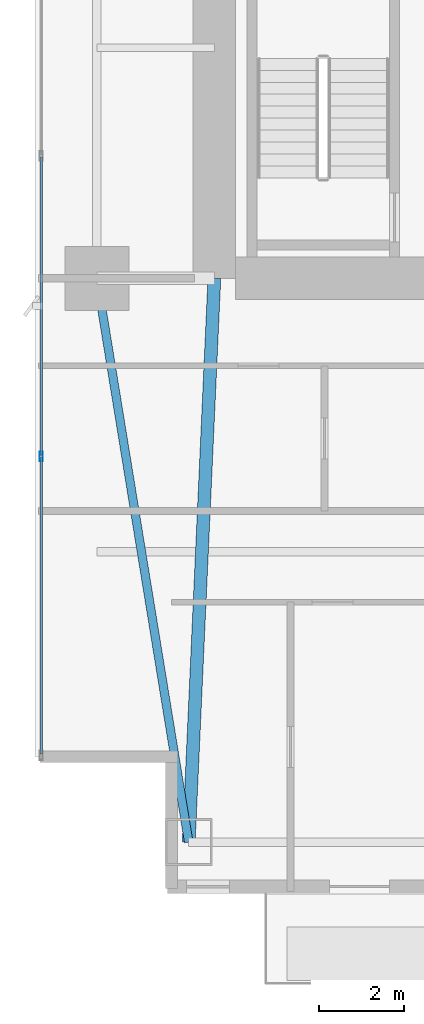
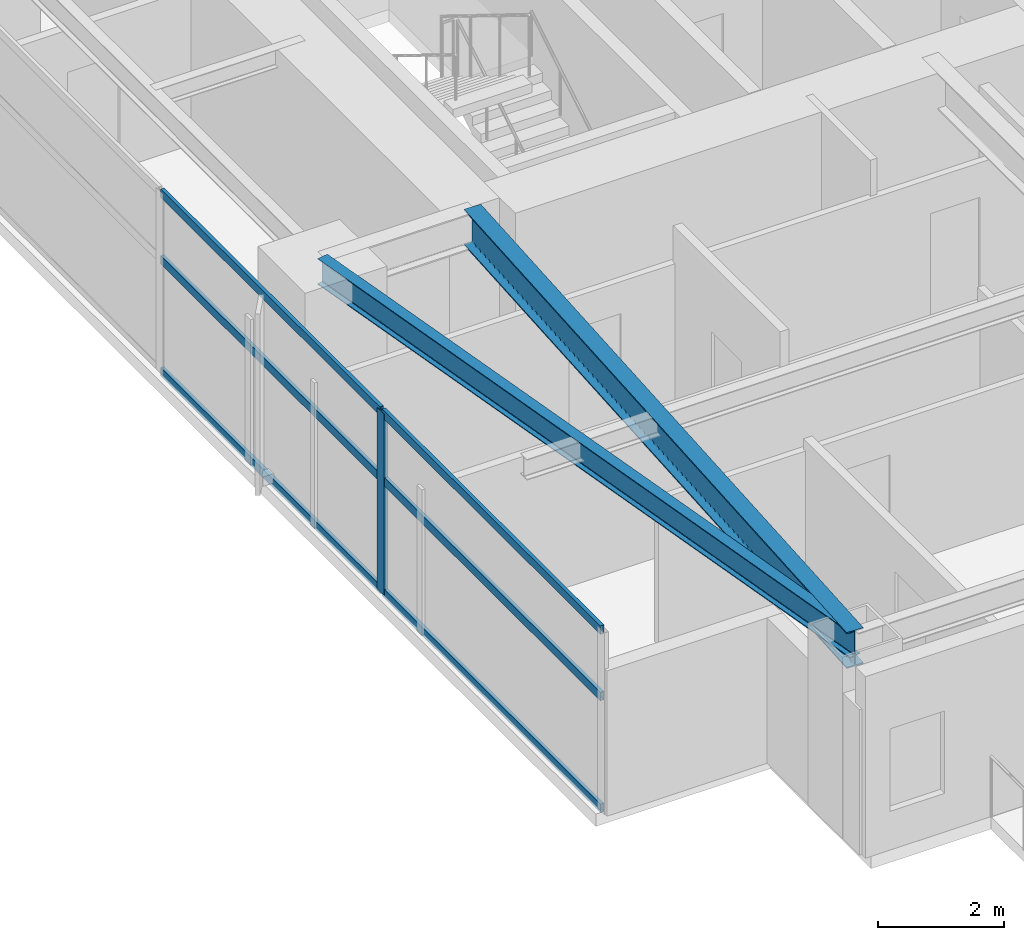
# One storey, part 3 of 28: 7 members, 2 beams, 1 element without a shape of its own.
"""IFC4 building model written with IfcOpenShell, lengths in metres."""

import ifcopenshell
import ifcopenshell.guid

model = None  # the IFC model being written
_history = None  # IfcOwnerHistory: only IFC2X3 demands one
_inside = {}  # id of a spatial element -> (the spatial element, [elements in it])
_under = {}  # id of a project, library or spatial element -> (it, [spatial elements below it])
_declared = {}  # id of a project -> (the project, [libraries it declares])
_typed = {}  # id of a type object -> (the type object, [elements of that type])
_made_of = {}  # id of a material, layer set ... -> (it, [elements and type objects made of it])


def new_model(schema):
    """Start an empty IFC model of exactly this schema.

    Asked for "IFC4X3", IfcOpenShell would pick the latest addendum, in which some entities
    have other attributes; the version numbers below select the first issue.
    IFC2X3 requires an IfcOwnerHistory on every rooted entity: one is made here for all.
    """
    global model, _history
    if schema == "IFC4X3":
        model = ifcopenshell.file(schema_version=(4, 3, 0, 0))
    else:
        model = ifcopenshell.file(schema=schema)
    _inside.clear()
    _under.clear()
    _declared.clear()
    _typed.clear()
    _made_of.clear()
    _history = None
    if model.schema == "IFC2X3":
        org = make("IfcOrganization", Name="unknown")
        user = make(
            "IfcPersonAndOrganization",
            ThePerson=make("IfcPerson", FamilyName="unknown"),
            TheOrganization=org,
        )
        app = make(
            "IfcApplication",
            ApplicationDeveloper=org,
            Version="unknown",
            ApplicationFullName="unknown",
            ApplicationIdentifier="unknown",
        )
        _history = make(
            "IfcOwnerHistory",
            OwningUser=user,
            OwningApplication=app,
            ChangeAction="ADDED",
            CreationDate=0,
        )
    return model


def make(cls, **values):
    """One entity of the class cls with the attributes given. An attribute that is None is left unset."""
    return model.create_entity(
        cls, **{name: value for name, value in values.items() if value is not None}
    )


def rooted(cls, **values):
    """An entity with a GlobalId (a new one), such as an element, a storey or a relation."""
    return make(cls, GlobalId=ifcopenshell.guid.new(), OwnerHistory=_history, **values)


def si_unit(unit_type, name, prefix=None):
    """IfcSIUnit, for example si_unit("LENGTHUNIT", "METRE", prefix="MILLI")."""
    return make("IfcSIUnit", UnitType=unit_type, Prefix=prefix, Name=name)


def assignment(units):
    """IfcUnitAssignment: the units of a project."""
    return None if units is None else make("IfcUnitAssignment", Units=units)


def point(xyz):
    """IfcCartesianPoint."""
    return None if xyz is None else make("IfcCartesianPoint", Coordinates=xyz)


def direction(xyz):
    """IfcDirection."""
    return None if xyz is None else make("IfcDirection", DirectionRatios=xyz)


def frame(location, z_axis=None, x_axis=None):
    """IfcAxis2Placement3D, a coordinate frame: its origin and axes. An axis left out is left unset."""
    return make(
        "IfcAxis2Placement3D",
        Location=point(location),
        Axis=direction(z_axis),
        RefDirection=direction(x_axis),
    )


def frame_2d(location, x_axis=None):
    """IfcAxis2Placement2D, a coordinate frame in the plane: its origin and x axis."""
    return make(
        "IfcAxis2Placement2D", Location=point(location), RefDirection=direction(x_axis)
    )


def origin():
    """The frame at (0, 0, 0) with its axes left unset."""
    return frame((0.0, 0.0, 0.0))


def origin_2d():
    """The frame at (0, 0) in the plane with its x axis left unset."""
    return frame_2d((0.0, 0.0))


def place(relative_to, where):
    """IfcLocalPlacement: puts the frame where relative to a parent placement (None: the world)."""
    return make(
        "IfcLocalPlacement", PlacementRelTo=relative_to, RelativePlacement=where
    )


def context(
    kind, dimensions, precision=None, world=None, true_north=None, identifier=None
):
    """IfcGeometricRepresentationContext, for example the 3D "Model" context."""
    return make(
        "IfcGeometricRepresentationContext",
        ContextIdentifier=identifier,
        ContextType=kind,
        CoordinateSpaceDimension=dimensions,
        Precision=precision,
        WorldCoordinateSystem=world,
        TrueNorth=true_north,
    )


def subcontext(parent, identifier, kind, view, scale=None):
    """IfcGeometricRepresentationSubContext, for example "Body" below "Model"."""
    return make(
        "IfcGeometricRepresentationSubContext",
        ContextIdentifier=identifier,
        ContextType=kind,
        ParentContext=parent,
        TargetScale=scale,
        TargetView=view,
    )


def project(units=None, contexts=None):
    """IfcProject with its units and contexts."""
    return rooted(
        "IfcProject",
        Name="project",
        RepresentationContexts=contexts,
        UnitsInContext=assignment(units),
    )


def spatial(cls, under=None, at=None, **own):
    """A site, building, storey or space (cls), placed at a placement, below another one or the project."""
    s = rooted(cls, ObjectPlacement=at, **own)
    if under is not None:
        _under.setdefault(under.id(), (under, []))[1].append(s)
    return s


def profile(cls, at=None, kind="AREA", **sizes):
    """A parametric profile (cls). Its sizes go by their IFC names, for example OverallWidth=200.0."""
    return make(cls, ProfileType=kind, Position=at, **sizes)


def hollow_rectangle(**sizes):
    """IfcRectangleHollowProfileDef."""
    return profile("IfcRectangleHollowProfileDef", **sizes)


def i_section(**sizes):
    """IfcIShapeProfileDef."""
    return profile("IfcIShapeProfileDef", **sizes)


def extrude(swept, where, along, depth):
    """IfcExtrudedAreaSolid: the profile swept, set in the frame where, extruded along a direction by depth."""
    return make(
        "IfcExtrudedAreaSolid",
        SweptArea=swept,
        Position=where,
        ExtrudedDirection=direction(along),
        Depth=depth,
    )


def shape(context_of_items, identifier, shape_type, items):
    """IfcShapeRepresentation: the items that make up one representation, for example the "Body"."""
    return make(
        "IfcShapeRepresentation",
        ContextOfItems=context_of_items,
        RepresentationIdentifier=identifier,
        RepresentationType=shape_type,
        Items=items,
    )


def material(Name=None, Category=None):
    """IfcMaterial."""
    return make("IfcMaterial", Name=Name, Category=Category)


def layer(
    of_material, thickness, ventilated=None, Name=None, Category=None, Priority=None
):
    """IfcMaterialLayer: one layer of a wall or slab, of a material (None: an air gap)."""
    return make(
        "IfcMaterialLayer",
        Material=of_material,
        LayerThickness=thickness,
        IsVentilated=ventilated,
        Name=Name,
        Category=Category,
        Priority=Priority,
    )


def layer_set(layers, Name=None):
    """IfcMaterialLayerSet."""
    return make("IfcMaterialLayerSet", MaterialLayers=layers, LayerSetName=Name)


def material_profile(
    of_material, cross_section, Name=None, Category=None, Priority=None
):
    """IfcMaterialProfile: a cross section and its material."""
    return make(
        "IfcMaterialProfile",
        Name=Name,
        Material=of_material,
        Profile=cross_section,
        Priority=Priority,
        Category=Category,
    )


def profile_set(profiles, Name=None, composite=None):
    """IfcMaterialProfileSet."""
    return make(
        "IfcMaterialProfileSet",
        Name=Name,
        MaterialProfiles=profiles,
        CompositeProfile=composite,
    )


def made_of(thing, what):
    """Note that an element or type object is made of a material, layer set ...; save() writes the relation."""
    if what is not None:
        _made_of.setdefault(what.id(), (what, []))[1].append(thing)
    return thing


def type_object(cls, material=None, **own):
    """A type object (cls), such as IfcWallType, which elements share."""
    return made_of(rooted(cls, **own), material)


def element(
    cls,
    number,
    at=None,
    inside=None,
    cuts=None,
    type_object=None,
    material=None,
    context=None,
    identifier="Body",
    shape_type=None,
    held_by="IfcProductDefinitionShape",
    body=None,
    shapes=None,
    **own,
):
    """One element of the class cls, such as IfcWall. Its Tag is "e" and its number.

    at: its placement. inside: the storey or other place that contains it. cuts: it is an
    opening in that element (IfcRelVoidsElement). A single representation is given by context,
    identifier, shape_type and body (its items); several are given by shapes. held_by: the class
    of the entity that holds the representations. save() writes the other relations.
    """
    e = rooted(cls, Tag="e%d" % number, ObjectPlacement=at, **own)
    if body is not None:
        shapes = [shape(context, identifier, shape_type, body)]
    if shapes is not None:
        e.Representation = make(held_by, Representations=shapes)
    if inside is not None:
        _inside.setdefault(inside.id(), (inside, []))[1].append(e)
    if cuts is not None:
        rooted(
            "IfcRelVoidsElement", RelatingBuildingElement=cuts, RelatedOpeningElement=e
        )
    if type_object is not None:
        _typed.setdefault(type_object.id(), (type_object, []))[1].append(e)
    return made_of(e, material)


def aggregate(whole, parts):
    """IfcRelAggregates: a whole, such as a stair, and the parts it consists of."""
    return rooted("IfcRelAggregates", RelatingObject=whole, RelatedObjects=parts)


def save(model, path):
    """Write the relations noted so far, then the file.

    IfcRelAggregates (storeys below a building ...), IfcRelContainedInSpatialStructure (elements
    in a storey), IfcRelDefinesByType, IfcRelAssociatesMaterial and IfcRelDeclares: one each for
    every whole, place, type object, material and project.
    """
    for whole, parts in _under.values():
        aggregate(whole, parts)
    for where, things in _inside.values():
        rooted(
            "IfcRelContainedInSpatialStructure",
            RelatedElements=things,
            RelatingStructure=where,
        )
    for kind, things in _typed.values():
        rooted("IfcRelDefinesByType", RelatedObjects=things, RelatingType=kind)
    for what, things in _made_of.values():
        rooted("IfcRelAssociatesMaterial", RelatedObjects=things, RelatingMaterial=what)
    for by, libraries in _declared.values():
        rooted("IfcRelDeclares", RelatingContext=by, RelatedDefinitions=libraries)
    model.write(path)


model = new_model("IFC4")

# Units and contexts
model_context = context("Model", 3, precision=1e-05, world=origin(), true_north=direction((0.0, 1.0)))
body_context = subcontext(model_context, "Body", "Model", "MODEL_VIEW")
ifc_project = project(units=[si_unit("LENGTHUNIT", "METRE"), si_unit("AREAUNIT", "SQUARE_METRE"), si_unit("VOLUMEUNIT", "CUBIC_METRE"), si_unit("PLANEANGLEUNIT", "RADIAN"), si_unit("MASSUNIT", "GRAM", prefix="KILO")], contexts=[model_context])

# Site, building, storey
site_placement = place(None, origin())
site = spatial("IfcSite", under=ifc_project, at=site_placement, CompositionType="ELEMENT")
building_placement = place(site_placement, origin())
building = spatial("IfcBuilding", under=site, at=building_placement, Name="Calvorn Quay Hotel", CompositionType="ELEMENT")
storey_placement = place(building_placement, frame((0.0, 0.0, 42.199951171875)))
storey = spatial("IfcBuildingStorey", under=building, at=storey_placement, Name="L09", CompositionType="ELEMENT", Elevation=42.199951171875)

# Beams
ifc_material_1 = material(Name="Steel Q390GJC", Category="steel")
ifc_material_profile_1 = material_profile(ifc_material_1, i_section(OverallWidth=0.300048828125, OverallDepth=0.699951171875, WebThickness=0.012939453125, FlangeThickness=0.02392578125, FilletRadius=0.02392578125, at=origin_2d()), Name="HN700x300x13x24")
ifc_profile_set_1 = profile_set([ifc_material_profile_1], Name="Steel Q390GJC")
beam_type_1 = type_object("IfcBeamType", Name="BM-GIRD-MAIN", PredefinedType="BEAM", material=ifc_profile_set_1)
beam_1_placement = place(storey_placement, frame((3.60009765625, 3.60009765625, 3.170166015625), z_axis=(0.045396765494, 0.998969035397, 0.0), x_axis=(-0.998969035397, 0.045396765494, 0.0)))
element("IfcBeam", 1, at=beam_1_placement, inside=storey, type_object=beam_type_1, Name="Beam BG-L09-W0", PredefinedType="BEAM", context=body_context, shape_type="SweptSolid", body=[
    extrude(i_section(OverallWidth=0.300048828125, OverallDepth=0.699951171875, WebThickness=0.012939453125, FlangeThickness=0.02392578125, FilletRadius=0.02392578125, at=origin_2d()), origin(), (0.0, 0.0, 1.0), 13.213623046875),
])
ifc_material_2 = material(Name="Steel Q355B", Category="steel")
ifc_material_profile_2 = material_profile(ifc_material_2, i_section(OverallWidth=0.199951171875, OverallDepth=0.5, WebThickness=0.010009765625, FlangeThickness=0.01611328125, FilletRadius=0.01611328125, at=origin_2d()), Name="HN500x200x10x16")
ifc_profile_set_2 = profile_set([ifc_material_profile_2], Name="Steel Q355B")
beam_type_2 = type_object("IfcBeamType", Name="BM-SPANDREL-Z1", PredefinedType="SPANDREL", material=ifc_profile_set_2)
beam_2_placement = place(storey_placement, frame((3.60009765625, 3.60009765625, 3.27001953125), z_axis=(-0.16077155054, 0.986991645627, 0.0), x_axis=(-0.986991645627, -0.16077155054, 0.0)))
element("IfcBeam", 2, at=beam_2_placement, inside=storey, type_object=beam_type_2, Name="Beam BSP-L09-W1", PredefinedType="SPANDREL", context=body_context, shape_type="SweptSolid", body=[
    extrude(i_section(OverallWidth=0.199951171875, OverallDepth=0.5, WebThickness=0.010009765625, FlangeThickness=0.01611328125, FilletRadius=0.01611328125, at=origin_2d()), origin(), (0.0, 0.0, 1.0), 13.3740234375),
])

# Curtain wall, members
ifc_material_3 = material(Name="Pale Anodised Aluminium and Low-E Glass", Category="aluminium")
ifc_layer = layer(ifc_material_3, 0.219970703125)
ifc_layer_set = layer_set([ifc_layer], Name="CW-SYS-Z1")
curtain_wall_type = type_object("IfcCurtainWallType", Name="CW-SYS-Z1", PredefinedType="NOTDEFINED", material=ifc_layer_set)
curtain_wall_placement = place(storey_placement, origin())
curtain_wall = element("IfcCurtainWall", 3, at=curtain_wall_placement, inside=storey, type_object=curtain_wall_type, Name="Tower West Curtain Wall (L09)", PredefinedType="NOTDEFINED")
ifc_material_4 = material(Name="Pale Anodised Aluminium 6063-T6", Category="aluminium")
ifc_material_profile_3 = material_profile(ifc_material_4, hollow_rectangle(XDim=0.074951171875, YDim=0.219970703125, WallThickness=0.00439453125, at=origin_2d()), Name="ALU-M220x75x4.5")
ifc_profile_set_3 = profile_set([ifc_material_profile_3], Name="Pale Anodised Aluminium 6063-T6")
member_type_1 = type_object("IfcMemberType", Name="CW-SYS-Z1-MUL", PredefinedType="MULLION", material=ifc_profile_set_3)
member_1_placement = place(storey_placement, frame((0.14990234375, 12.63330078125, 0.0), z_axis=(0.0, 0.0, 1.0), x_axis=(-1.0, 0.0, 0.0)))
member_1 = element("IfcMember", 4, at=member_1_placement, type_object=member_type_1, Name="CW-L09-W mullion 2", PredefinedType="MULLION", context=body_context, shape_type="SweptSolid", body=[
    extrude(hollow_rectangle(XDim=0.074951171875, YDim=0.219970703125, WallThickness=0.00439453125, at=origin_2d()), origin(), (0.0, 0.0, 1.0), 3.52001953125),
])
ifc_material_5 = material(Name="Pale Anodised Aluminium 6063-T6", Category="aluminium")
ifc_material_profile_4 = material_profile(ifc_material_5, hollow_rectangle(XDim=0.06494140625, YDim=0.1650390625, WallThickness=0.00341796875, at=origin_2d()), Name="ALU-T165x65x3.5")
ifc_profile_set_4 = profile_set([ifc_material_profile_4], Name="Pale Anodised Aluminium 6063-T6")
member_type_2 = type_object("IfcMemberType", Name="CW-SYS-Z1-TRN", PredefinedType="USERDEFINED", material=ifc_profile_set_4)
member_2_placement = place(storey_placement, frame((0.14990234375, 5.659912109375, 0.030029296875), z_axis=(0.0, 1.0, 0.0), x_axis=(-1.0, 0.0, 0.0)))
member_2 = element("IfcMember", 5, at=member_2_placement, type_object=member_type_2, Name="CW-L09-W transom 1.1", ObjectType="TRANSOM", PredefinedType="USERDEFINED", context=body_context, shape_type="SweptSolid", body=[
    extrude(hollow_rectangle(XDim=0.06494140625, YDim=0.1650390625, WallThickness=0.00341796875, at=origin_2d()), origin(), (0.0, 0.0, 1.0), 6.943359375),
])
member_3_placement = place(storey_placement, frame((0.14990234375, 5.659912109375, 2.199951171875), z_axis=(0.0, 1.0, 0.0), x_axis=(-1.0, 0.0, 0.0)))
member_3 = element("IfcMember", 6, at=member_3_placement, type_object=member_type_2, Name="CW-L09-W transom 1.2", ObjectType="TRANSOM", PredefinedType="USERDEFINED", context=body_context, shape_type="SweptSolid", body=[
    extrude(hollow_rectangle(XDim=0.06494140625, YDim=0.1650390625, WallThickness=0.00341796875, at=origin_2d()), origin(), (0.0, 0.0, 1.0), 6.943359375),
])
member_4_placement = place(storey_placement, frame((0.14990234375, 5.659912109375, 3.489990234375), z_axis=(0.0, 1.0, 0.0), x_axis=(-1.0, 0.0, 0.0)))
member_4 = element("IfcMember", 7, at=member_4_placement, type_object=member_type_2, Name="CW-L09-W transom 1.3", ObjectType="TRANSOM", PredefinedType="USERDEFINED", context=body_context, shape_type="SweptSolid", body=[
    extrude(hollow_rectangle(XDim=0.06494140625, YDim=0.1650390625, WallThickness=0.00341796875, at=origin_2d()), origin(), (0.0, 0.0, 1.0), 6.943359375),
])
member_5_placement = place(storey_placement, frame((0.14990234375, 12.663330078125, 0.030029296875), z_axis=(0.0, 1.0, 0.0), x_axis=(-1.0, 0.0, 0.0)))
member_5 = element("IfcMember", 8, at=member_5_placement, type_object=member_type_2, Name="CW-L09-W transom 2.1", ObjectType="TRANSOM", PredefinedType="USERDEFINED", context=body_context, shape_type="SweptSolid", body=[
    extrude(hollow_rectangle(XDim=0.06494140625, YDim=0.1650390625, WallThickness=0.00341796875, at=origin_2d()), origin(), (0.0, 0.0, 1.0), 6.973388671875),
])
member_6_placement = place(storey_placement, frame((0.14990234375, 12.663330078125, 2.199951171875), z_axis=(0.0, 1.0, 0.0), x_axis=(-1.0, 0.0, 0.0)))
member_6 = element("IfcMember", 9, at=member_6_placement, type_object=member_type_2, Name="CW-L09-W transom 2.2", ObjectType="TRANSOM", PredefinedType="USERDEFINED", context=body_context, shape_type="SweptSolid", body=[
    extrude(hollow_rectangle(XDim=0.06494140625, YDim=0.1650390625, WallThickness=0.00341796875, at=origin_2d()), origin(), (0.0, 0.0, 1.0), 6.973388671875),
])
member_7_placement = place(storey_placement, frame((0.14990234375, 12.663330078125, 3.489990234375), z_axis=(0.0, 1.0, 0.0), x_axis=(-1.0, 0.0, 0.0)))
member_7 = element("IfcMember", 10, at=member_7_placement, type_object=member_type_2, Name="CW-L09-W transom 2.3", ObjectType="TRANSOM", PredefinedType="USERDEFINED", context=body_context, shape_type="SweptSolid", body=[
    extrude(hollow_rectangle(XDim=0.06494140625, YDim=0.1650390625, WallThickness=0.00341796875, at=origin_2d()), origin(), (0.0, 0.0, 1.0), 6.973388671875),
])
aggregate(curtain_wall, [member_1, member_2, member_3, member_4, member_5, member_6, member_7])

save(model, "model.ifc")
